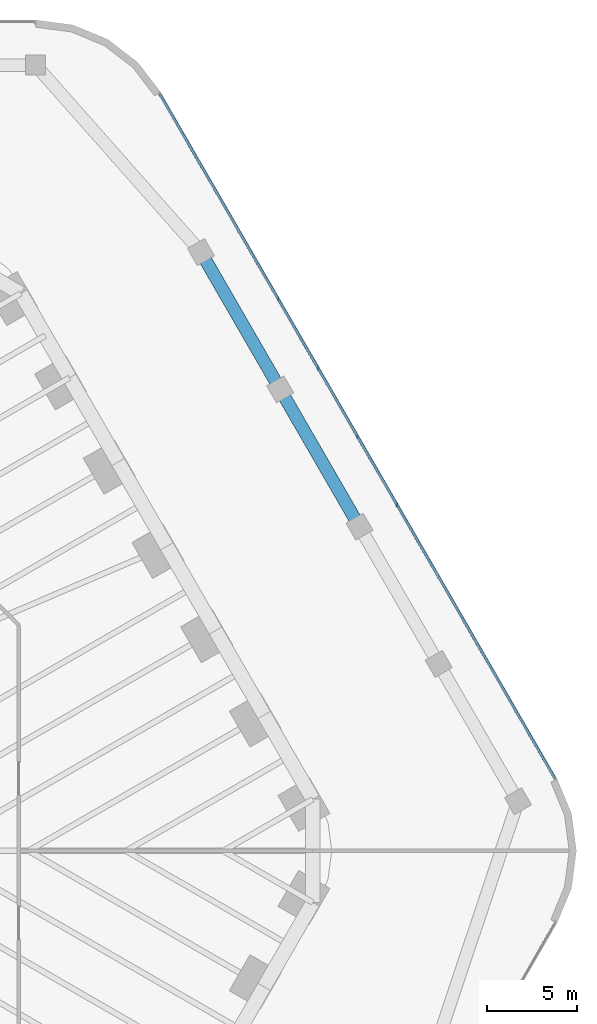
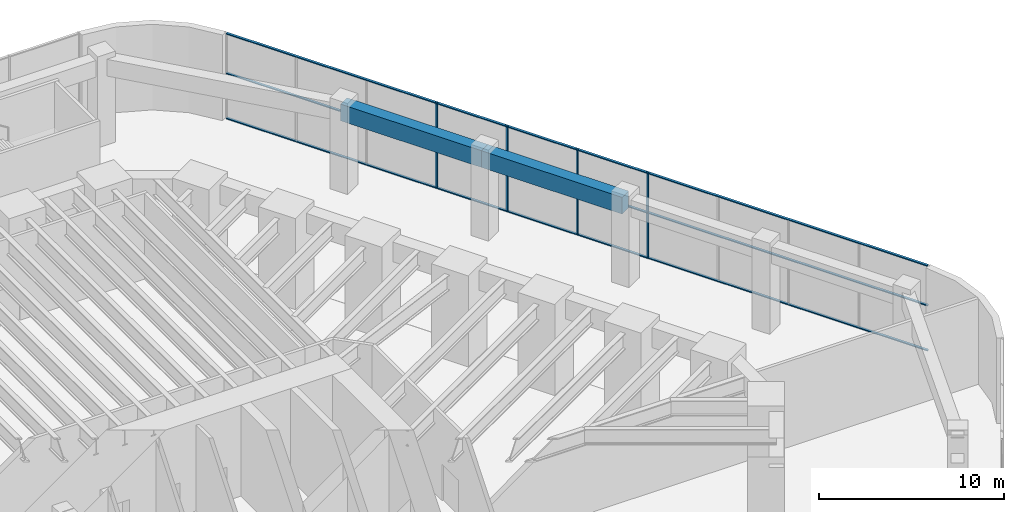
# One storey, part 21 of 31: 7 members, 2 beams, 1 element without a shape of its own.
"""IFC4 building model written with IfcOpenShell, lengths in metres."""

from ifc_helpers import new_model, si_unit, direction, frame, origin, origin_2d, place, context, subcontext, project, spatial, rectangle, extrude, material, material_profile, profile_set, type_object, element, aggregate, save


model = new_model("IFC4")

# Units and contexts
model_context = context("Model", 3, precision=1e-05, world=origin(), true_north=direction((0.0, 1.0)))
body_context = subcontext(model_context, "Body", "Model", "MODEL_VIEW")
ifc_project = project(units=[si_unit("LENGTHUNIT", "METRE"), si_unit("AREAUNIT", "SQUARE_METRE"), si_unit("VOLUMEUNIT", "CUBIC_METRE"), si_unit("PLANEANGLEUNIT", "RADIAN"), si_unit("MASSUNIT", "GRAM", prefix="KILO")], contexts=[model_context])

# Site, building, storey
site_placement = place(None, origin())
site = spatial("IfcSite", under=ifc_project, at=site_placement, CompositionType="ELEMENT")
building_placement = place(site_placement, origin())
building = spatial("IfcBuilding", under=site, at=building_placement, Name="Tarfa Lantern Tower", CompositionType="ELEMENT")
storey_placement = place(building_placement, frame((0.0, 0.0, 7.0)))
storey = spatial("IfcBuildingStorey", under=building, at=storey_placement, Name="L01", CompositionType="ELEMENT", Elevation=7.0)

# Curtain wall, members
ifc_material_1 = material(Name="Aluminium framed curtain wall", Category="aluminium")
curtain_wall_type = type_object("IfcCurtainWallType", Name="CW7 PODIUM GLAZING 5650", PredefinedType="USERDEFINED", material=ifc_material_1)
curtain_wall_placement = place(storey_placement, origin())
curtain_wall = element("IfcCurtainWall", 1, at=curtain_wall_placement, inside=storey, type_object=curtain_wall_type, Name="CW7 NE L01", ObjectType="CURTAIN WALL", PredefinedType="USERDEFINED")
ifc_material_2 = material(Name="Aluminium mullion", Category="aluminium")
ifc_material_profile_1 = material_profile(ifc_material_2, rectangle(XDim=0.06494140625, YDim=0.199951171875, at=origin_2d()), Name="AL MULLION 65x200")
ifc_profile_set_1 = profile_set([ifc_material_profile_1], Name="Aluminium mullion")
member_type_1 = type_object("IfcMemberType", Name="CWM1 MULLION 65x200", PredefinedType="MULLION", material=ifc_profile_set_1)
member_1_placement = place(storey_placement, frame((41.944580078125, 19.14990234375, 0.0), z_axis=(0.0, 0.0, 1.0), x_axis=(1.0, 0.0, 0.0)))
member_1 = element("IfcMember", 2, at=member_1_placement, type_object=member_type_1, Name="CW7 mullion 5", PredefinedType="MULLION", context=body_context, shape_type="SweptSolid", body=[
    extrude(rectangle(XDim=0.06494140625, YDim=0.199951171875, at=origin_2d()), origin(), (0.0, 0.0, 1.0), 5.64990234375),
])
member_2_placement = place(storey_placement, frame((39.75048828125, 22.949951171875, 0.0), z_axis=(0.0, 0.0, 1.0), x_axis=(1.0, 0.0, 0.0)))
member_2 = element("IfcMember", 3, at=member_2_placement, type_object=member_type_1, Name="CW7 mullion 6", PredefinedType="MULLION", context=body_context, shape_type="SweptSolid", body=[
    extrude(rectangle(XDim=0.06494140625, YDim=0.199951171875, at=origin_2d()), origin(), (0.0, 0.0, 1.0), 5.64990234375),
])
member_3_placement = place(storey_placement, frame((37.556640625, 26.75, 0.0), z_axis=(0.0, 0.0, 1.0), x_axis=(1.0, 0.0, 0.0)))
member_3 = element("IfcMember", 4, at=member_3_placement, type_object=member_type_1, Name="CW7 mullion 7", PredefinedType="MULLION", context=body_context, shape_type="SweptSolid", body=[
    extrude(rectangle(XDim=0.06494140625, YDim=0.199951171875, at=origin_2d()), origin(), (0.0, 0.0, 1.0), 5.64990234375),
])
member_4_placement = place(storey_placement, frame((35.36279296875, 30.550048828125, 0.0), z_axis=(0.0, 0.0, 1.0), x_axis=(1.0, 0.0, 0.0)))
member_4 = element("IfcMember", 5, at=member_4_placement, type_object=member_type_1, Name="CW7 mullion 8", PredefinedType="MULLION", context=body_context, shape_type="SweptSolid", body=[
    extrude(rectangle(XDim=0.06494140625, YDim=0.199951171875, at=origin_2d()), origin(), (0.0, 0.0, 1.0), 5.64990234375),
])
ifc_material_3 = material(Name="Aluminium transom", Category="aluminium")
ifc_material_profile_2 = material_profile(ifc_material_3, rectangle(XDim=0.14990234375, YDim=0.06494140625, at=origin_2d()), Name="AL TRANSOM 150x65")
ifc_profile_set_2 = profile_set([ifc_material_profile_2], Name="Aluminium transom")
member_type_2 = type_object("IfcMemberType", Name="CWT1 TRANSOM 150x65", PredefinedType="USERDEFINED", material=ifc_profile_set_2)
member_5_placement = place(storey_placement, frame((50.687744140625, 4.00634765625, 0.032470703125), z_axis=(-0.499998927597, 0.866026022936, 0.0), x_axis=(-0.866026022936, -0.499998927597, 0.0)))
member_5 = element("IfcMember", 6, at=member_5_placement, type_object=member_type_2, Name="CW7 transom 1.1", ObjectType="TRANSOM", PredefinedType="USERDEFINED", context=body_context, shape_type="SweptSolid", body=[
    extrude(rectangle(XDim=0.14990234375, YDim=0.06494140625, at=origin_2d()), origin(), (0.0, 0.0, 1.0), 43.74853515625),
])
member_6_placement = place(storey_placement, frame((50.687744140625, 4.00634765625, 3.0), z_axis=(-0.499998927597, 0.866026022936, 0.0), x_axis=(-0.866026022936, -0.499998927597, 0.0)))
member_6 = element("IfcMember", 7, at=member_6_placement, type_object=member_type_2, Name="CW7 transom 1.2", ObjectType="TRANSOM", PredefinedType="USERDEFINED", context=body_context, shape_type="SweptSolid", body=[
    extrude(rectangle(XDim=0.14990234375, YDim=0.06494140625, at=origin_2d()), origin(), (0.0, 0.0, 1.0), 43.74853515625),
])
member_7_placement = place(storey_placement, frame((50.687744140625, 4.00634765625, 5.617431640625), z_axis=(-0.499998927597, 0.866026022936, 0.0), x_axis=(-0.866026022936, -0.499998927597, 0.0)))
member_7 = element("IfcMember", 8, at=member_7_placement, type_object=member_type_2, Name="CW7 transom 1.3", ObjectType="TRANSOM", PredefinedType="USERDEFINED", context=body_context, shape_type="SweptSolid", body=[
    extrude(rectangle(XDim=0.14990234375, YDim=0.06494140625, at=origin_2d()), origin(), (0.0, 0.0, 1.0), 43.74853515625),
])
aggregate(curtain_wall, [member_1, member_2, member_3, member_4, member_5, member_6, member_7])

# Beams
ifc_material_4 = material(Name="Concrete C80/95", Category="concrete")
ifc_material_profile_3 = material_profile(ifc_material_4, rectangle(XDim=0.699951171875, YDim=1.10009765625, at=origin_2d()), Name="RC 700x1100")
ifc_profile_set_3 = profile_set([ifc_material_profile_3], Name="Concrete C80/95")
beam_type = type_object("IfcBeamType", Name="PB1 RC 700x1100", PredefinedType="BEAM", material=ifc_profile_set_3)
for number, where, z_axis, x_axis, name in (
    (9, (39.865966796875, 17.949951171875, 5.10009765625), (-0.499980931779, 0.866036412547, 0.0), (-0.866036412547, -0.499980931779, 0.0), "Podium ring beam NE2"),
    (10, (35.478271484375, 25.550048828125, 5.10009765625), (-0.500013843384, 0.866017411155, 0.0), (-0.866017411155, -0.500013843384, 0.0), "Podium ring beam NE3"),
):
    element("IfcBeam", number, at=place(storey_placement, frame(where, z_axis=z_axis, x_axis=x_axis)), inside=storey, type_object=beam_type, Name=name, PredefinedType="BEAM", context=body_context, shape_type="SweptSolid", body=[
        extrude(rectangle(XDim=0.699951171875, YDim=1.10009765625, at=origin_2d()), origin(), (0.0, 0.0, 1.0), 8.775634765625),
    ])

save(model, "model.ifc")
